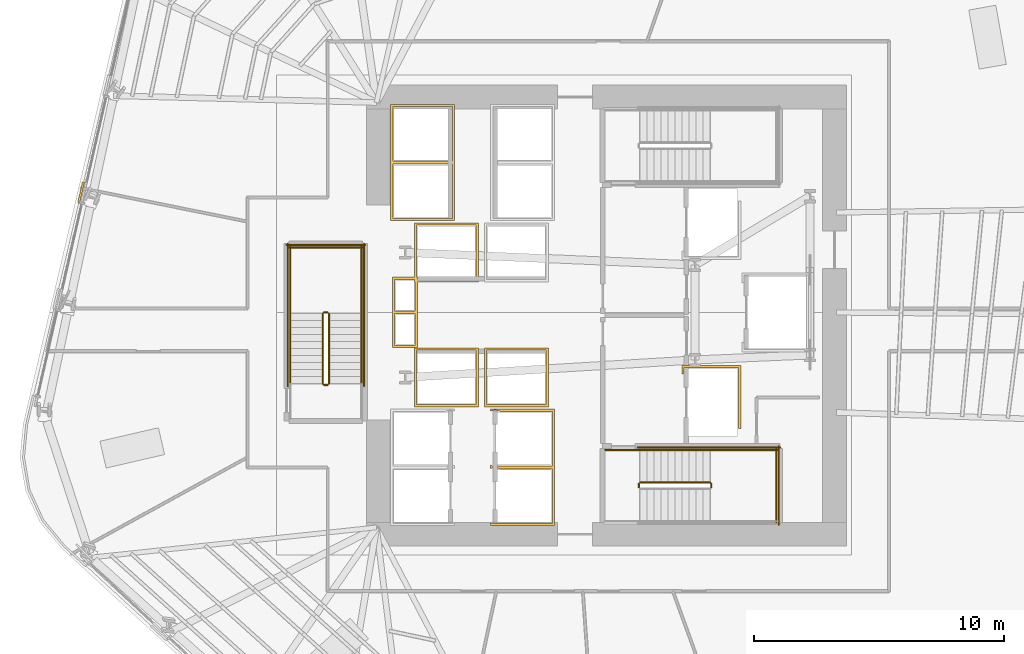
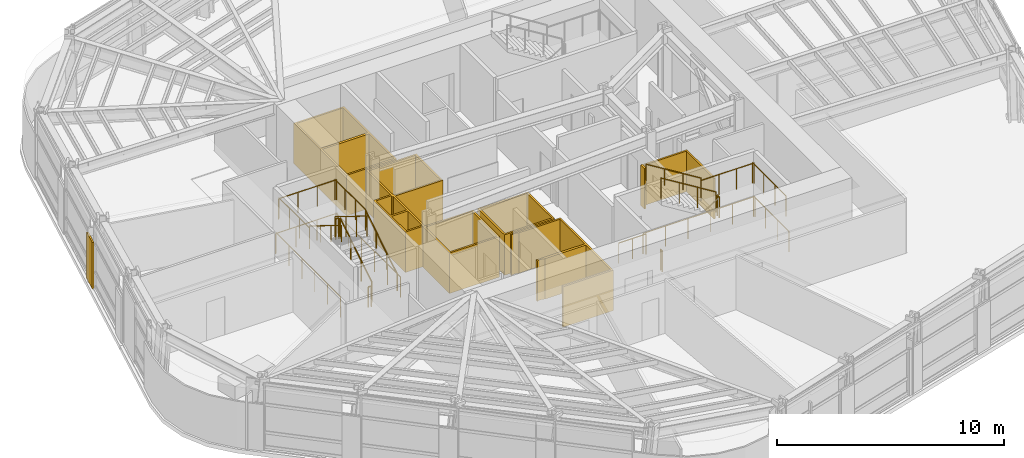
# One storey, part 12 of 16: 21 railings, 7 coverings.
"""IFC4 building model written with IfcOpenShell, lengths in metres."""

from ifc_helpers import new_model, si_unit, direction, frame, origin, origin_2d, place, context, subcontext, project, spatial, polyline, circle, outline, extrude, material, layer, layer_set, type_object, element, save


model = new_model("IFC4")

# Units and contexts
model_context = context("Model", 3, precision=1e-05, world=origin(), true_north=direction((0.0, 1.0)))
body_context = subcontext(model_context, "Body", "Model", "MODEL_VIEW")
ifc_project = project(units=[si_unit("LENGTHUNIT", "METRE"), si_unit("AREAUNIT", "SQUARE_METRE"), si_unit("VOLUMEUNIT", "CUBIC_METRE"), si_unit("PLANEANGLEUNIT", "RADIAN"), si_unit("MASSUNIT", "GRAM", prefix="KILO")], contexts=[model_context])

# Site, building, storey
site_placement = place(None, origin())
site = spatial("IfcSite", under=ifc_project, at=site_placement, CompositionType="ELEMENT")
building_placement = place(site_placement, origin())
building = spatial("IfcBuilding", under=site, at=building_placement, Name="Valkerne Bourse Tower", CompositionType="ELEMENT")
storey_placement = place(building_placement, frame((0.0, 0.0, 97.199951171875)))
storey = spatial("IfcBuildingStorey", under=building, at=storey_placement, Name="L24", CompositionType="ELEMENT", Elevation=97.199951171875)

# Coverings
ifc_material_1 = material(Name="Bronze Anodised Aluminium AA 6063-T6", Category="aluminium")
ifc_layer_1 = layer(ifc_material_1, 0.06005859375)
ifc_layer_set_1 = layer_set([ifc_layer_1], Name="Bronze Anodised Aluminium AA 6063-T6")
covering_type_1 = type_object("IfcCoveringType", Name="COV-CRN-ALUM", PredefinedType="CLADDING", material=ifc_layer_set_1)
covering_1_placement = place(storey_placement, origin())
element("IfcCovering", 1, at=covering_1_placement, inside=storey, type_object=covering_type_1, Name="L24 Wind-Shaped Corner Aluminium Cladding 11", PredefinedType="CLADDING", context=body_context, shape_type="SweptSolid", body=[
    extrude(outline(polyline([(25.840087890625, 32.231201171875), (25.918212890625, 32.21337890625), (25.726318359375, 31.3955078125), (25.648193359375, 31.41357421875), (25.840087890625, 32.231201171875)])), origin(), (0.0, 0.0, 1.0), 2.5),
])
ifc_material_2 = material(Name="Gypsum Shaftwall Liner Board", Category="gypsum")
ifc_layer_2 = layer(ifc_material_2, 0.080078125)
ifc_layer_set_2 = layer_set([ifc_layer_2], Name="Gypsum Shaftwall Liner Board")
covering_type_2 = type_object("IfcCoveringType", Name="COV-SHF-CLAD", PredefinedType="CLADDING", material=ifc_layer_set_2)
covering_2_placement = place(storey_placement, origin())
element("IfcCovering", 2, at=covering_2_placement, inside=storey, type_object=covering_type_2, Name="L24 Hoistway & Riser Shaftwall Liner 02", PredefinedType="CLADDING", context=body_context, shape_type="SweptSolid", body=[
    extrude(outline(polyline([(41.679931640625, 23.219970703125), (39.1201171875, 23.219970703125), (39.1201171875, 25.580078125), (41.679931640625, 25.580078125), (41.679931640625, 23.219970703125)]), holes=[polyline([(39.2099609375, 25.489990234375), (39.2099609375, 23.31005859375), (41.590087890625, 23.31005859375), (41.590087890625, 25.489990234375), (39.2099609375, 25.489990234375)])]), origin(), (0.0, 0.0, 1.0), 2.179931640625),
])
covering_3_placement = place(storey_placement, origin())
element("IfcCovering", 3, at=covering_3_placement, inside=storey, type_object=covering_type_2, Name="L24 Hoistway & Riser Shaftwall Liner 03", PredefinedType="CLADDING", context=body_context, shape_type="SweptSolid", body=[
    extrude(outline(polyline([(44.47998046875, 23.219970703125), (41.919921875, 23.219970703125), (41.919921875, 25.580078125), (44.47998046875, 25.580078125), (44.47998046875, 23.219970703125)]), holes=[polyline([(42.010009765625, 25.489990234375), (42.010009765625, 23.31005859375), (44.389892578125, 23.31005859375), (44.389892578125, 25.489990234375), (42.010009765625, 25.489990234375)])]), origin(), (0.0, 0.0, 1.0), 2.179931640625),
])
covering_4_placement = place(storey_placement, origin())
element("IfcCovering", 4, at=covering_4_placement, inside=storey, type_object=covering_type_2, Name="L24 Hoistway & Riser Shaftwall Liner 04", PredefinedType="CLADDING", context=body_context, shape_type="SweptSolid", body=[
    extrude(outline(polyline([(38.239990234375, 28.409912109375), (39.1201171875, 28.409912109375), (39.1201171875, 30.580078125), (41.679931640625, 30.580078125), (41.679931640625, 28.219970703125), (39.239990234375, 28.219970703125), (39.239990234375, 27.0400390625), (39.239990234375, 26.9599609375), (39.239990234375, 25.590087890625), (38.239990234375, 25.590087890625), (38.239990234375, 26.9599609375), (38.239990234375, 27.0400390625), (38.239990234375, 28.409912109375)]), holes=[polyline([(39.2099609375, 30.489990234375), (39.2099609375, 28.409912109375), (39.239990234375, 28.409912109375), (39.239990234375, 28.31005859375), (41.590087890625, 28.31005859375), (41.590087890625, 30.489990234375), (39.2099609375, 30.489990234375)]), polyline([(38.330078125, 26.949951171875), (38.330078125, 25.679931640625), (39.14990234375, 25.679931640625), (39.14990234375, 26.949951171875), (38.330078125, 26.949951171875)]), polyline([(39.1201171875, 28.219970703125), (39.1201171875, 28.320068359375), (38.330078125, 28.320068359375), (38.330078125, 27.050048828125), (39.14990234375, 27.050048828125), (39.14990234375, 28.219970703125), (39.1201171875, 28.219970703125)])]), origin(), (0.0, 0.0, 1.0), 2.179931640625),
])
covering_5_placement = place(storey_placement, origin())
element("IfcCovering", 5, at=covering_5_placement, inside=storey, type_object=covering_type_2, Name="L24 Hoistway & Riser Shaftwall Liner 05", PredefinedType="CLADDING", context=body_context, shape_type="SweptSolid", body=[
    extrude(outline(polyline([(38.169921875, 35.330078125), (40.72998046875, 35.330078125), (40.72998046875, 33.030029296875), (40.72998046875, 32.969970703125), (40.72998046875, 30.669921875), (38.169921875, 30.669921875), (38.169921875, 32.969970703125), (38.169921875, 33.030029296875), (38.169921875, 35.330078125)]), holes=[polyline([(38.260009765625, 32.93994140625), (38.260009765625, 30.760009765625), (40.639892578125, 30.760009765625), (40.639892578125, 32.93994140625), (38.260009765625, 32.93994140625)]), polyline([(38.260009765625, 35.239990234375), (38.260009765625, 33.06005859375), (40.639892578125, 33.06005859375), (40.639892578125, 35.239990234375), (38.260009765625, 35.239990234375)])]), origin(), (0.0, 0.0, 1.0), 2.179931640625),
])
covering_6_placement = place(storey_placement, origin())
element("IfcCovering", 6, at=covering_6_placement, inside=storey, type_object=covering_type_2, Name="L24 Hoistway & Riser Shaftwall Liner 06", PredefinedType="CLADDING", context=body_context, shape_type="SweptSolid", body=[
    extrude(outline(polyline([(42.169921875, 20.830078125), (42.169921875, 20.887939453125), (42.177734375, 20.88427734375), (42.219482421875, 20.869384765625), (42.26220703125, 20.858642578125), (42.305908203125, 20.852294921875), (42.35009765625, 20.85009765625), (42.39404296875, 20.852294921875), (42.437744140625, 20.858642578125), (42.443115234375, 20.860107421875), (44.639892578125, 20.860107421875), (44.639892578125, 23.0400390625), (42.555419921875, 23.0400390625), (42.522216796875, 23.0556640625), (42.480712890625, 23.070556640625), (42.437744140625, 23.081298828125), (42.39404296875, 23.087890625), (42.35009765625, 23.090087890625), (42.305908203125, 23.087890625), (42.26220703125, 23.081298828125), (42.219482421875, 23.070556640625), (42.177734375, 23.0556640625), (42.169921875, 23.052001953125), (42.169921875, 23.1298828125), (44.72998046875, 23.1298828125), (44.72998046875, 20.830078125), (44.72998046875, 20.77001953125), (44.72998046875, 18.469970703125), (42.169921875, 18.469970703125), (42.169921875, 18.587890625), (42.177734375, 18.584228515625), (42.219482421875, 18.5693359375), (42.26220703125, 18.55859375), (42.305908203125, 18.55224609375), (42.35009765625, 18.550048828125), (42.39404296875, 18.55224609375), (42.437744140625, 18.55859375), (42.443115234375, 18.56005859375), (44.639892578125, 18.56005859375), (44.639892578125, 20.739990234375), (42.555419921875, 20.739990234375), (42.522216796875, 20.755615234375), (42.480712890625, 20.7705078125), (42.437744140625, 20.781494140625), (42.39404296875, 20.787841796875), (42.35009765625, 20.7900390625), (42.305908203125, 20.787841796875), (42.26220703125, 20.781494140625), (42.219482421875, 20.7705078125), (42.177734375, 20.755615234375), (42.169921875, 20.752197265625), (42.169921875, 20.77001953125), (42.169921875, 20.830078125)])), origin(), (0.0, 0.0, 1.0), 2.179931640625),
])
covering_7_placement = place(storey_placement, origin())
element("IfcCovering", 7, at=covering_7_placement, inside=storey, type_object=covering_type_2, Name="L24 Hoistway & Riser Shaftwall Liner 07", PredefinedType="CLADDING", context=body_context, shape_type="SweptSolid", body=[
    extrude(outline(polyline([(52.179931640625, 22.35009765625), (52.090087890625, 22.35009765625), (52.090087890625, 24.7900390625), (49.909912109375, 24.7900390625), (49.909912109375, 24.560791015625), (49.869384765625, 24.550537109375), (49.827880859375, 24.53564453125), (49.820068359375, 24.531982421875), (49.820068359375, 24.8798828125), (52.179931640625, 24.8798828125), (52.179931640625, 22.35009765625)])), origin(), (0.0, 0.0, 1.0), 2.179931640625),
])

# Railings
ifc_material_3 = material(Name="Galvanised Painted Steel", Category="steel")
railing_type_1 = type_object("IfcRailingType", Name="RLG-ST-GUARD-1120", PredefinedType="GUARDRAIL", material=ifc_material_3)
railing_1_placement = place(storey_placement, frame((51.0, 20.0, 1.900146484375)))
element("IfcRailing", 8, at=railing_1_placement, inside=storey, type_object=railing_type_1, Name="L24 ST-1 stair guard 2", PredefinedType="GUARDRAIL", context=body_context, shape_type="SweptSolid", body=[
    extrude(circle(Radius=0.02392578125, at=origin_2d()), frame((0.0, 0.0, 1.09619140625), z_axis=(0.0, 1.0, 0.0), x_axis=(-1.0, 0.0, 0.0)), (0.0, 0.0, 1.0), 0.14990234375),
    extrude(circle(Radius=0.02099609375, at=origin_2d()), origin(), (0.0, 0.0, 1.0), 1.072021484375),
    extrude(circle(Radius=0.02099609375, at=origin_2d()), frame((0.0, 0.14990234375, 0.0)), (0.0, 0.0, 1.0), 1.072021484375),
])
railing_2_placement = place(storey_placement, frame((50.949951171875, 21.5, 1.900146484375)))
element("IfcRailing", 9, at=railing_2_placement, inside=storey, type_object=railing_type_1, Name="L24 ST-1 stair guard 4", PredefinedType="GUARDRAIL", context=body_context, shape_type="SweptSolid", body=[
    extrude(circle(Radius=0.02392578125, at=origin_2d()), frame((0.0, 0.0, 1.09619140625), z_axis=(1.0, 0.0, 0.0), x_axis=(0.0, 1.0, 0.0)), (0.0, 0.0, 1.0), 2.699951171875),
    extrude(circle(Radius=0.02099609375, at=origin_2d()), origin(), (0.0, 0.0, 1.0), 1.072021484375),
    extrude(circle(Radius=0.02099609375, at=origin_2d()), frame((0.89990234375, 0.0, 0.0)), (0.0, 0.0, 1.0), 1.072021484375),
    extrude(circle(Radius=0.02099609375, at=origin_2d()), frame((1.800048828125, 0.0, 0.0)), (0.0, 0.0, 1.0), 1.072021484375),
    extrude(circle(Radius=0.02099609375, at=origin_2d()), frame((2.699951171875, 0.0, 0.0)), (0.0, 0.0, 1.0), 1.072021484375),
])
railing_3_placement = place(storey_placement, frame((53.60009765625, 18.60009765625, 1.900146484375)))
element("IfcRailing", 10, at=railing_3_placement, inside=storey, type_object=railing_type_1, Name="L24 ST-1 stair guard 5", PredefinedType="GUARDRAIL", context=body_context, shape_type="SweptSolid", body=[
    extrude(circle(Radius=0.02392578125, at=origin_2d()), frame((0.0, 0.0, 1.09619140625), z_axis=(0.0, 1.0, 0.0), x_axis=(-1.0, 0.0, 0.0)), (0.0, 0.0, 1.0), 2.949951171875),
    extrude(circle(Radius=0.02099609375, at=origin_2d()), origin(), (0.0, 0.0, 1.0), 1.072021484375),
    extrude(circle(Radius=0.02099609375, at=origin_2d()), frame((0.0, 0.9833984375, 0.0)), (0.0, 0.0, 1.0), 1.072021484375),
    extrude(circle(Radius=0.02099609375, at=origin_2d()), frame((0.0, 1.966552734375, 0.0)), (0.0, 0.0, 1.0), 1.072021484375),
    extrude(circle(Radius=0.02099609375, at=origin_2d()), frame((0.0, 2.949951171875, 0.0)), (0.0, 0.0, 1.0), 1.072021484375),
])
railing_4_placement = place(storey_placement, frame((50.949951171875, 20.199951171875, 2.07275390625)))
element("IfcRailing", 11, at=railing_4_placement, inside=storey, type_object=railing_type_1, Name="L24 ST-1 stair guard 6", PredefinedType="GUARDRAIL", context=body_context, shape_type="SweptSolid", body=[
    extrude(circle(Radius=0.02392578125, at=origin_2d()), frame((0.0, 0.0, 1.09619140625), z_axis=(-0.851089632645, 0.0, 0.525020415988), x_axis=(0.0, -1.0, 0.0)), (0.0, 0.0, 1.0), 3.2900390625),
    extrude(circle(Radius=0.02099609375, at=origin_2d()), origin(), (0.0, 0.0, 1.0), 1.072021484375),
    extrude(circle(Radius=0.02099609375, at=origin_2d()), frame((-0.933349609375, 0.0, 0.57568359375)), (0.0, 0.0, 1.0), 1.072021484375),
    extrude(circle(Radius=0.02099609375, at=origin_2d()), frame((-1.86669921875, 0.0, 1.151611328125)), (0.0, 0.0, 1.0), 1.072021484375),
    extrude(circle(Radius=0.02099609375, at=origin_2d()), frame((-2.800048828125, 0.0, 1.727294921875)), (0.0, 0.0, 1.0), 1.072021484375),
])
railing_5_placement = place(storey_placement, frame((48.10009765625, 20.0, 0.0)))
element("IfcRailing", 12, at=railing_5_placement, inside=storey, type_object=railing_type_1, Name="L24 ST-1 stair guard 7", PredefinedType="GUARDRAIL", context=body_context, shape_type="SweptSolid", body=[
    extrude(circle(Radius=0.02392578125, at=origin_2d()), frame((0.0, 0.0, 1.09619140625), z_axis=(0.0, 1.0, 0.0), x_axis=(-1.0, 0.0, 0.0)), (0.0, 0.0, 1.0), 0.14990234375),
    extrude(circle(Radius=0.02099609375, at=origin_2d()), origin(), (0.0, 0.0, 1.0), 1.072021484375),
    extrude(circle(Radius=0.02099609375, at=origin_2d()), frame((0.0, 0.14990234375, 0.0)), (0.0, 0.0, 1.0), 1.072021484375),
])
railing_6_placement = place(storey_placement, frame((46.75, 21.5, 0.0)))
element("IfcRailing", 13, at=railing_6_placement, inside=storey, type_object=railing_type_1, Name="L24 ST-1 stair guard 9", PredefinedType="GUARDRAIL", context=body_context, shape_type="SweptSolid", body=[
    extrude(circle(Radius=0.02392578125, at=origin_2d()), frame((0.0, 0.0, 1.09619140625), z_axis=(1.0, 0.0, 0.0), x_axis=(0.0, 1.0, 0.0)), (0.0, 0.0, 1.0), 1.39990234375),
    extrude(circle(Radius=0.02099609375, at=origin_2d()), origin(), (0.0, 0.0, 1.0), 1.072021484375),
    extrude(circle(Radius=0.02099609375, at=origin_2d()), frame((0.699951171875, 0.0, 0.0)), (0.0, 0.0, 1.0), 1.072021484375),
    extrude(circle(Radius=0.02099609375, at=origin_2d()), frame((1.39990234375, 0.0, 0.0)), (0.0, 0.0, 1.0), 1.072021484375),
])
railing_7_placement = place(storey_placement, frame((48.050048828125, 21.60009765625, 0.0)))
element("IfcRailing", 14, at=railing_7_placement, inside=storey, type_object=railing_type_1, Name="L24 ST-1 stair guard 11", PredefinedType="GUARDRAIL", context=body_context, shape_type="SweptSolid", body=[
    extrude(circle(Radius=0.02392578125, at=origin_2d()), frame((0.0, 0.0, 1.09619140625), z_axis=(1.0, 0.0, 0.0), x_axis=(0.0, 1.0, 0.0)), (0.0, 0.0, 1.0), 5.699951171875),
    extrude(circle(Radius=0.02099609375, at=origin_2d()), origin(), (0.0, 0.0, 1.0), 1.072021484375),
    extrude(circle(Radius=0.02099609375, at=origin_2d()), frame((1.139892578125, 0.0, 0.0)), (0.0, 0.0, 1.0), 1.072021484375),
    extrude(circle(Radius=0.02099609375, at=origin_2d()), frame((2.280029296875, 0.0, 0.0)), (0.0, 0.0, 1.0), 1.072021484375),
    extrude(circle(Radius=0.02099609375, at=origin_2d()), frame((3.419921875, 0.0, 0.0)), (0.0, 0.0, 1.0), 1.072021484375),
    extrude(circle(Radius=0.02099609375, at=origin_2d()), frame((4.56005859375, 0.0, 0.0)), (0.0, 0.0, 1.0), 1.072021484375),
    extrude(circle(Radius=0.02099609375, at=origin_2d()), frame((5.699951171875, 0.0, 0.0)), (0.0, 0.0, 1.0), 1.072021484375),
])
railing_8_placement = place(storey_placement, frame((53.699951171875, 18.5, 0.0)))
element("IfcRailing", 15, at=railing_8_placement, inside=storey, type_object=railing_type_1, Name="L24 ST-1 stair guard 12", PredefinedType="GUARDRAIL", context=body_context, shape_type="SweptSolid", body=[
    extrude(circle(Radius=0.02392578125, at=origin_2d()), frame((0.0, 0.0, 1.09619140625), z_axis=(0.0, 1.0, 0.0), x_axis=(-1.0, 0.0, 0.0)), (0.0, 0.0, 1.0), 3.14990234375),
    extrude(circle(Radius=0.02099609375, at=origin_2d()), origin(), (0.0, 0.0, 1.0), 1.072021484375),
    extrude(circle(Radius=0.02099609375, at=origin_2d()), frame((0.0, 1.050048828125, 0.0)), (0.0, 0.0, 1.0), 1.072021484375),
    extrude(circle(Radius=0.02099609375, at=origin_2d()), frame((0.0, 2.099853515625, 0.0)), (0.0, 0.0, 1.0), 1.072021484375),
    extrude(circle(Radius=0.02099609375, at=origin_2d()), frame((0.0, 3.14990234375, 0.0)), (0.0, 0.0, 1.0), 1.072021484375),
])
railing_9_placement = place(storey_placement, frame((35.699951171875, 24.14990234375, 0.1728515625)))
element("IfcRailing", 16, at=railing_9_placement, inside=storey, type_object=railing_type_1, Name="L24 ST-3 stair guard 1", PredefinedType="GUARDRAIL", context=body_context, shape_type="SweptSolid", body=[
    extrude(circle(Radius=0.02392578125, at=origin_2d()), frame((0.0, 0.0, 1.09619140625), z_axis=(0.0, 0.851089632645, 0.525020415988), x_axis=(-1.0, 0.0, 0.0)), (0.0, 0.0, 1.0), 3.2900390625),
    extrude(circle(Radius=0.02099609375, at=origin_2d()), origin(), (0.0, 0.0, 1.0), 1.072021484375),
    extrude(circle(Radius=0.02099609375, at=origin_2d()), frame((0.0, 0.933349609375, 0.57568359375)), (0.0, 0.0, 1.0), 1.072021484375),
    extrude(circle(Radius=0.02099609375, at=origin_2d()), frame((0.0, 1.86669921875, 1.151611328125)), (0.0, 0.0, 1.0), 1.072021484375),
    extrude(circle(Radius=0.02099609375, at=origin_2d()), frame((0.0, 2.800048828125, 1.727294921875)), (0.0, 0.0, 1.0), 1.072021484375),
])
railing_10_placement = place(storey_placement, frame((35.64990234375, 27.0, 1.900146484375)))
element("IfcRailing", 17, at=railing_10_placement, inside=storey, type_object=railing_type_1, Name="L24 ST-3 stair guard 2", PredefinedType="GUARDRAIL", context=body_context, shape_type="SweptSolid", body=[
    extrude(circle(Radius=0.02392578125, at=origin_2d()), frame((0.0, 0.0, 1.09619140625), z_axis=(-1.0, 0.0, 0.0), x_axis=(0.0, -1.0, 0.0)), (0.0, 0.0, 1.0), 0.14990234375),
    extrude(circle(Radius=0.02099609375, at=origin_2d()), origin(), (0.0, 0.0, 1.0), 1.072021484375),
    extrude(circle(Radius=0.02099609375, at=origin_2d()), frame((-0.14990234375, 0.0, 0.0)), (0.0, 0.0, 1.0), 1.072021484375),
])
for number, where, name in (
    (18, (37.0, 26.949951171875, 1.900146484375), "L24 ST-3 stair guard 3"),
    (19, (34.14990234375, 26.949951171875, 1.900146484375), "L24 ST-3 stair guard 4"),
):
    element("IfcRailing", number, at=place(storey_placement, frame(where)), inside=storey, type_object=railing_type_1, Name=name, PredefinedType="GUARDRAIL", context=body_context, shape_type="SweptSolid", body=[
        extrude(circle(Radius=0.02392578125, at=origin_2d()), frame((0.0, 0.0, 1.09619140625), z_axis=(0.0, 1.0, 0.0), x_axis=(-1.0, 0.0, 0.0)), (0.0, 0.0, 1.0), 2.699951171875),
        extrude(circle(Radius=0.02099609375, at=origin_2d()), origin(), (0.0, 0.0, 1.0), 1.072021484375),
        extrude(circle(Radius=0.02099609375, at=origin_2d()), frame((0.0, 0.89990234375, 0.0)), (0.0, 0.0, 1.0), 1.072021484375),
        extrude(circle(Radius=0.02099609375, at=origin_2d()), frame((0.0, 1.800048828125, 0.0)), (0.0, 0.0, 1.0), 1.072021484375),
        extrude(circle(Radius=0.02099609375, at=origin_2d()), frame((0.0, 2.699951171875, 0.0)), (0.0, 0.0, 1.0), 1.072021484375),
    ])
railing_11_placement = place(storey_placement, frame((37.050048828125, 29.60009765625, 1.900146484375)))
element("IfcRailing", 20, at=railing_11_placement, inside=storey, type_object=railing_type_1, Name="L24 ST-3 stair guard 5", PredefinedType="GUARDRAIL", context=body_context, shape_type="SweptSolid", body=[
    extrude(circle(Radius=0.02392578125, at=origin_2d()), frame((0.0, 0.0, 1.09619140625), z_axis=(-1.0, 0.0, 0.0), x_axis=(0.0, -1.0, 0.0)), (0.0, 0.0, 1.0), 2.949951171875),
    extrude(circle(Radius=0.02099609375, at=origin_2d()), origin(), (0.0, 0.0, 1.0), 1.072021484375),
    extrude(circle(Radius=0.02099609375, at=origin_2d()), frame((-0.9833984375, 0.0, 0.0)), (0.0, 0.0, 1.0), 1.072021484375),
    extrude(circle(Radius=0.02099609375, at=origin_2d()), frame((-1.966552734375, 0.0, 0.0)), (0.0, 0.0, 1.0), 1.072021484375),
    extrude(circle(Radius=0.02099609375, at=origin_2d()), frame((-2.949951171875, 0.0, 0.0)), (0.0, 0.0, 1.0), 1.072021484375),
])
railing_12_placement = place(storey_placement, frame((35.449951171875, 26.949951171875, 2.07275390625)))
element("IfcRailing", 21, at=railing_12_placement, inside=storey, type_object=railing_type_1, Name="L24 ST-3 stair guard 6", PredefinedType="GUARDRAIL", context=body_context, shape_type="SweptSolid", body=[
    extrude(circle(Radius=0.02392578125, at=origin_2d()), frame((0.0, 0.0, 1.09619140625), z_axis=(0.0, -0.851089632645, 0.525020415988), x_axis=(1.0, 0.0, 0.0)), (0.0, 0.0, 1.0), 3.2900390625),
    extrude(circle(Radius=0.02099609375, at=origin_2d()), origin(), (0.0, 0.0, 1.0), 1.072021484375),
    extrude(circle(Radius=0.02099609375, at=origin_2d()), frame((0.0, -0.933349609375, 0.57568359375)), (0.0, 0.0, 1.0), 1.072021484375),
    extrude(circle(Radius=0.02099609375, at=origin_2d()), frame((0.0, -1.86669921875, 1.151611328125)), (0.0, 0.0, 1.0), 1.072021484375),
    extrude(circle(Radius=0.02099609375, at=origin_2d()), frame((0.0, -2.800048828125, 1.727294921875)), (0.0, 0.0, 1.0), 1.072021484375),
])
railing_13_placement = place(storey_placement, frame((35.64990234375, 24.10009765625, 0.0)))
element("IfcRailing", 22, at=railing_13_placement, inside=storey, type_object=railing_type_1, Name="L24 ST-3 stair guard 7", PredefinedType="GUARDRAIL", context=body_context, shape_type="SweptSolid", body=[
    extrude(circle(Radius=0.02392578125, at=origin_2d()), frame((0.0, 0.0, 1.09619140625), z_axis=(-1.0, 0.0, 0.0), x_axis=(0.0, -1.0, 0.0)), (0.0, 0.0, 1.0), 0.14990234375),
    extrude(circle(Radius=0.02099609375, at=origin_2d()), origin(), (0.0, 0.0, 1.0), 1.072021484375),
    extrude(circle(Radius=0.02099609375, at=origin_2d()), frame((-0.14990234375, 0.0, 0.0)), (0.0, 0.0, 1.0), 1.072021484375),
])
for number, where, name in (
    (23, (37.10009765625, 24.050048828125, 0.0), "L24 ST-3 stair guard 10"),
    (24, (34.050048828125, 24.050048828125, 0.0), "L24 ST-3 stair guard 11"),
):
    element("IfcRailing", number, at=place(storey_placement, frame(where)), inside=storey, type_object=railing_type_1, Name=name, PredefinedType="GUARDRAIL", context=body_context, shape_type="SweptSolid", body=[
        extrude(circle(Radius=0.02392578125, at=origin_2d()), frame((0.0, 0.0, 1.09619140625), z_axis=(0.0, 1.0, 0.0), x_axis=(-1.0, 0.0, 0.0)), (0.0, 0.0, 1.0), 5.699951171875),
        extrude(circle(Radius=0.02099609375, at=origin_2d()), origin(), (0.0, 0.0, 1.0), 1.072021484375),
        extrude(circle(Radius=0.02099609375, at=origin_2d()), frame((0.0, 1.139892578125, 0.0)), (0.0, 0.0, 1.0), 1.072021484375),
        extrude(circle(Radius=0.02099609375, at=origin_2d()), frame((0.0, 2.280029296875, 0.0)), (0.0, 0.0, 1.0), 1.072021484375),
        extrude(circle(Radius=0.02099609375, at=origin_2d()), frame((0.0, 3.419921875, 0.0)), (0.0, 0.0, 1.0), 1.072021484375),
        extrude(circle(Radius=0.02099609375, at=origin_2d()), frame((0.0, 4.56005859375, 0.0)), (0.0, 0.0, 1.0), 1.072021484375),
        extrude(circle(Radius=0.02099609375, at=origin_2d()), frame((0.0, 5.699951171875, 0.0)), (0.0, 0.0, 1.0), 1.072021484375),
    ])
railing_14_placement = place(storey_placement, frame((37.14990234375, 29.699951171875, 0.0)))
element("IfcRailing", 25, at=railing_14_placement, inside=storey, type_object=railing_type_1, Name="L24 ST-3 stair guard 12", PredefinedType="GUARDRAIL", context=body_context, shape_type="SweptSolid", body=[
    extrude(circle(Radius=0.02392578125, at=origin_2d()), frame((0.0, 0.0, 1.09619140625), z_axis=(-1.0, 0.0, 0.0), x_axis=(0.0, -1.0, 0.0)), (0.0, 0.0, 1.0), 3.14990234375),
    extrude(circle(Radius=0.02099609375, at=origin_2d()), origin(), (0.0, 0.0, 1.0), 1.072021484375),
    extrude(circle(Radius=0.02099609375, at=origin_2d()), frame((-1.050048828125, 0.0, 0.0)), (0.0, 0.0, 1.0), 1.072021484375),
    extrude(circle(Radius=0.02099609375, at=origin_2d()), frame((-2.099853515625, 0.0, 0.0)), (0.0, 0.0, 1.0), 1.072021484375),
    extrude(circle(Radius=0.02099609375, at=origin_2d()), frame((-3.14990234375, 0.0, 0.0)), (0.0, 0.0, 1.0), 1.072021484375),
])
ifc_material_4 = material(Name="Stainless Steel AISI 316", Category="steel")
railing_type_2 = type_object("IfcRailingType", Name="RLG-ST-HANDRAIL-900", PredefinedType="HANDRAIL", material=ifc_material_4)
railing_15_placement = place(storey_placement, frame((50.949951171875, 21.5, 2.24560546875)))
element("IfcRailing", 26, at=railing_15_placement, inside=storey, type_object=railing_type_2, Name="L24 ST-1 stair handrail 2", PredefinedType="HANDRAIL", context=body_context, shape_type="SweptSolid", body=[
    extrude(circle(Radius=0.02392578125, at=origin_2d()), frame((0.0, 0.0, 0.8759765625), z_axis=(-0.851122791225, 0.0, 0.524966660138), x_axis=(0.0, -1.0, 0.0)), (0.0, 0.0, 1.0), 3.289794921875),
    extrude(circle(Radius=0.02099609375, at=origin_2d()), origin(), (0.0, 0.0, 1.0), 0.851806640625),
    extrude(circle(Radius=0.02099609375, at=origin_2d()), frame((-0.933349609375, 0.0, 0.57568359375)), (0.0, 0.0, 1.0), 0.851806640625),
    extrude(circle(Radius=0.02099609375, at=origin_2d()), frame((-1.86669921875, 0.0, 1.1513671875)), (0.0, 0.0, 1.0), 0.851806640625),
    extrude(circle(Radius=0.02099609375, at=origin_2d()), frame((-2.800048828125, 0.0, 1.72705078125)), (0.0, 0.0, 1.0), 0.851806640625),
])
railing_16_placement = place(storey_placement, frame((37.0, 24.14990234375, 0.345458984375)))
element("IfcRailing", 27, at=railing_16_placement, inside=storey, type_object=railing_type_2, Name="L24 ST-3 stair handrail 1", PredefinedType="HANDRAIL", context=body_context, shape_type="SweptSolid", body=[
    extrude(circle(Radius=0.02392578125, at=origin_2d()), frame((0.0, 0.0, 0.8759765625), z_axis=(0.0, 0.851089632645, 0.525020415988), x_axis=(-1.0, 0.0, 0.0)), (0.0, 0.0, 1.0), 3.2900390625),
    extrude(circle(Radius=0.02099609375, at=origin_2d()), origin(), (0.0, 0.0, 1.0), 0.851806640625),
    extrude(circle(Radius=0.02099609375, at=origin_2d()), frame((0.0, 0.933349609375, 0.57568359375)), (0.0, 0.0, 1.0), 0.851806640625),
    extrude(circle(Radius=0.02099609375, at=origin_2d()), frame((0.0, 1.86669921875, 1.151611328125)), (0.0, 0.0, 1.0), 0.851806640625),
    extrude(circle(Radius=0.02099609375, at=origin_2d()), frame((0.0, 2.800048828125, 1.727294921875)), (0.0, 0.0, 1.0), 0.851806640625),
])
railing_17_placement = place(storey_placement, frame((34.14990234375, 26.949951171875, 2.24560546875)))
element("IfcRailing", 28, at=railing_17_placement, inside=storey, type_object=railing_type_2, Name="L24 ST-3 stair handrail 2", PredefinedType="HANDRAIL", context=body_context, shape_type="SweptSolid", body=[
    extrude(circle(Radius=0.02392578125, at=origin_2d()), frame((0.0, 0.0, 0.8759765625), z_axis=(0.0, -0.851122791225, 0.524966660138), x_axis=(1.0, 0.0, 0.0)), (0.0, 0.0, 1.0), 3.289794921875),
    extrude(circle(Radius=0.02099609375, at=origin_2d()), origin(), (0.0, 0.0, 1.0), 0.851806640625),
    extrude(circle(Radius=0.02099609375, at=origin_2d()), frame((0.0, -0.933349609375, 0.57568359375)), (0.0, 0.0, 1.0), 0.851806640625),
    extrude(circle(Radius=0.02099609375, at=origin_2d()), frame((0.0, -1.86669921875, 1.1513671875)), (0.0, 0.0, 1.0), 0.851806640625),
    extrude(circle(Radius=0.02099609375, at=origin_2d()), frame((0.0, -2.800048828125, 1.72705078125)), (0.0, 0.0, 1.0), 0.851806640625),
])

save(model, "model.ifc")
